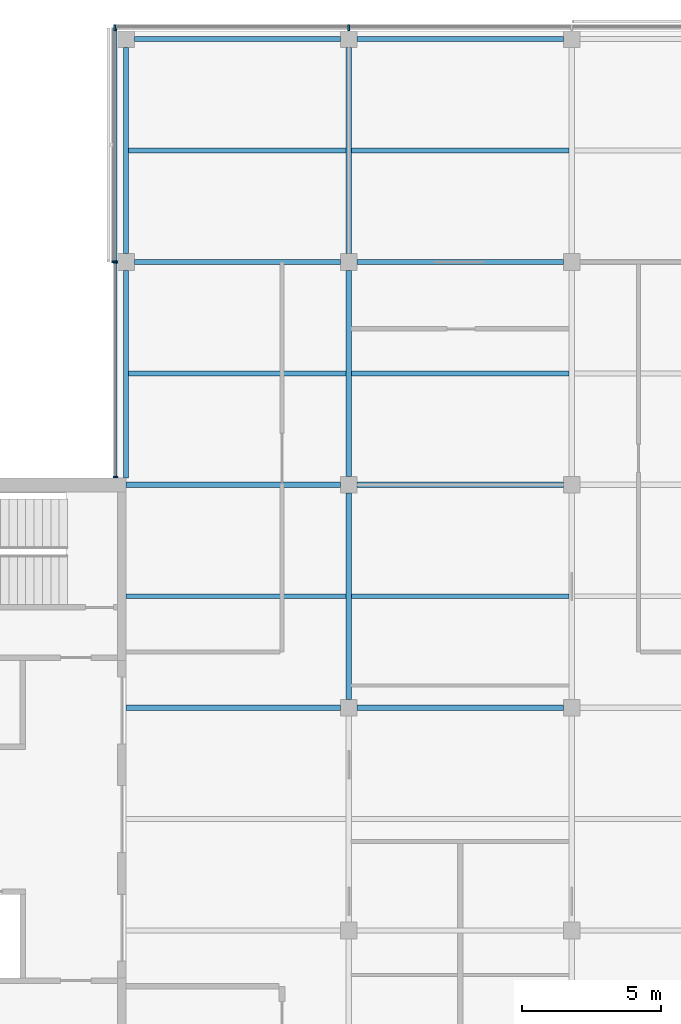
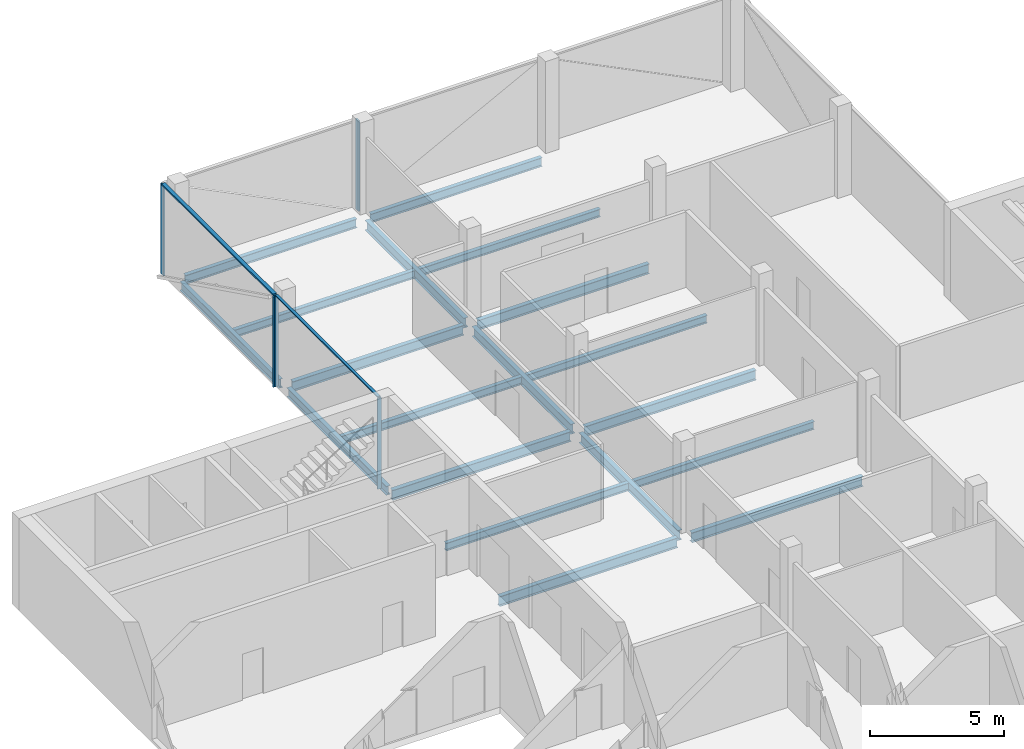
# One storey, part 5 of 15: 19 beams, 7 members, 3 elements without a shape of their own.
"""IFC4 building model written with IfcOpenShell, lengths in metres."""

from ifc_helpers import new_model, si_unit, direction, frame, origin, origin_2d, place, context, subcontext, project, spatial, rectangle, i_section, extrude, material, material_profile, profile_set, type_object, element, aggregate, save


model = new_model("IFC4")

# Units and contexts
model_context = context("Model", 3, precision=1e-05, world=origin(), true_north=direction((0.0, 1.0)))
body_context = subcontext(model_context, "Body", "Model", "MODEL_VIEW")
ifc_project = project(units=[si_unit("LENGTHUNIT", "METRE"), si_unit("AREAUNIT", "SQUARE_METRE"), si_unit("VOLUMEUNIT", "CUBIC_METRE"), si_unit("PLANEANGLEUNIT", "RADIAN"), si_unit("MASSUNIT", "GRAM", prefix="KILO")], contexts=[model_context])

# Site, building, storey
site_placement = place(None, origin())
site = spatial("IfcSite", under=ifc_project, at=site_placement, CompositionType="ELEMENT")
building_placement = place(site_placement, origin())
building = spatial("IfcBuilding", under=site, at=building_placement, Name="Crosswind Convention Tower", CompositionType="ELEMENT")
storey_placement = place(building_placement, frame((0.0, 0.0, 315.5)))
storey = spatial("IfcBuildingStorey", under=building, at=storey_placement, Name="L68", CompositionType="ELEMENT", Elevation=315.5)

# Beams
ifc_material_1 = material(Name="Steel S355", Category="steel")
ifc_material_profile_1 = material_profile(ifc_material_1, i_section(OverallWidth=0.177734375, OverallDepth=0.406494140625, WebThickness=0.0078125, FlangeThickness=0.0126953125, FilletRadius=0.01025390625, at=origin_2d()), Name="UB 406x178x60")
ifc_profile_set_1 = profile_set([ifc_material_profile_1], Name="Steel S355")
beam_type_1 = type_object("IfcBeamType", Name="Edge beam UB 406x178x60", PredefinedType="SPANDREL", material=ifc_profile_set_1)
beam_1_placement = place(storey_placement, frame((113.0, 112.25, -0.503173828125), z_axis=(0.0, 1.0, 0.0), x_axis=(-1.0, 0.0, 0.0)))
element("IfcBeam", 1, at=beam_1_placement, inside=storey, type_object=beam_type_1, Name="B15 L68 edge beam 3", PredefinedType="SPANDREL", context=body_context, shape_type="SweptSolid", body=[
    extrude(i_section(OverallWidth=0.177734375, OverallDepth=0.406494140625, WebThickness=0.0078125, FlangeThickness=0.0126953125, FilletRadius=0.01025390625, at=origin_2d()), origin(), (0.0, 0.0, 1.0), 7.449951171875),
])
for number, where, z_axis, x_axis, name in (
    (2, (113.0, 120.300048828125, -0.503173828125), (0.0, 1.0, 0.0), (-1.0, 0.0, 0.0), "B15 L68 edge beam 4"),
    (3, (113.300048828125, 128.0, -0.503173828125), (1.0, 0.0, 0.0), (0.0, 1.0, 0.0), "B15 L68 edge beam 6"),
    (4, (121.300048828125, 128.0, -0.503173828125), (1.0, 0.0, 0.0), (0.0, 1.0, 0.0), "B15 L68 edge beam 8"),
):
    element("IfcBeam", number, at=place(storey_placement, frame(where, z_axis=z_axis, x_axis=x_axis)), inside=storey, type_object=beam_type_1, Name=name, PredefinedType="SPANDREL", context=body_context, shape_type="SweptSolid", body=[
        extrude(i_section(OverallWidth=0.177734375, OverallDepth=0.406494140625, WebThickness=0.0078125, FlangeThickness=0.0126953125, FilletRadius=0.01025390625, at=origin_2d()), origin(), (0.0, 0.0, 1.0), 7.39990234375),
    ])
ifc_material_profile_2 = material_profile(ifc_material_1, i_section(OverallWidth=0.18994140625, OverallDepth=0.45361328125, WebThickness=0.008544921875, FlangeThickness=0.0126953125, FilletRadius=0.01025390625, at=origin_2d()), Name="UB 457x191x67")
ifc_profile_set_2 = profile_set([ifc_material_profile_2], Name="Steel S355")
beam_type_2 = type_object("IfcBeamType", Name="Girder UB 457x191x67", PredefinedType="BEAM", material=ifc_profile_set_2)
for number, where, z_axis, x_axis, name in (
    (5, (113.300048828125, 120.0, -0.52685546875), (1.0, 0.0, 0.0), (0.0, 1.0, 0.0), "B1 L68 girder 2"),
    (6, (121.0, 104.300048828125, -0.52685546875), (0.0, 1.0, 0.0), (-1.0, 0.0, 0.0), "B1 L68 girder 7"),
    (7, (121.0, 112.300048828125, -0.52685546875), (0.0, 1.0, 0.0), (-1.0, 0.0, 0.0), "B1 L68 girder 8"),
    (8, (121.0, 120.300048828125, -0.52685546875), (0.0, 1.0, 0.0), (-1.0, 0.0, 0.0), "B1 L68 girder 9"),
    (9, (121.300048828125, 104.0, -0.52685546875), (1.0, 0.0, 0.0), (0.0, 1.0, 0.0), "B1 L68 girder 13"),
    (10, (121.300048828125, 112.0, -0.52685546875), (1.0, 0.0, 0.0), (0.0, 1.0, 0.0), "B1 L68 girder 14"),
    (11, (121.300048828125, 120.0, -0.52685546875), (1.0, 0.0, 0.0), (0.0, 1.0, 0.0), "B1 L68 girder 15"),
):
    element("IfcBeam", number, at=place(storey_placement, frame(where, z_axis=z_axis, x_axis=x_axis)), inside=storey, type_object=beam_type_2, Name=name, PredefinedType="BEAM", context=body_context, shape_type="SweptSolid", body=[
        extrude(i_section(OverallWidth=0.18994140625, OverallDepth=0.45361328125, WebThickness=0.008544921875, FlangeThickness=0.0126953125, FilletRadius=0.01025390625, at=origin_2d()), origin(), (0.0, 0.0, 1.0), 7.39990234375),
    ])
ifc_material_profile_3 = material_profile(ifc_material_1, i_section(OverallWidth=0.1904296875, OverallDepth=0.457275390625, WebThickness=0.009033203125, FlangeThickness=0.014404296875, FilletRadius=0.01025390625, at=origin_2d()), Name="UB 457x191x75")
ifc_profile_set_3 = profile_set([ifc_material_profile_3], Name="Steel S355")
beam_type_3 = type_object("IfcBeamType", Name="Girder at core wall UB 457x191x75", PredefinedType="BEAM", material=ifc_profile_set_3)
for number, where, z_axis, x_axis, name in (
    (12, (113.0, 104.0, -0.528564453125), (1.0, 0.0, 0.0), (0.0, 1.0, 0.0), "B22 L68 girder at core wall 3"),
    (13, (113.0, 112.0, -0.528564453125), (1.0, 0.0, 0.0), (0.0, 1.0, 0.0), "B22 L68 girder at core wall 4"),
):
    element("IfcBeam", number, at=place(storey_placement, frame(where, z_axis=z_axis, x_axis=x_axis)), inside=storey, type_object=beam_type_3, Name=name, PredefinedType="BEAM", context=body_context, shape_type="SweptSolid", body=[
        extrude(i_section(OverallWidth=0.1904296875, OverallDepth=0.457275390625, WebThickness=0.009033203125, FlangeThickness=0.014404296875, FilletRadius=0.01025390625, at=origin_2d()), origin(), (0.0, 0.0, 1.0), 7.699951171875),
    ])

# Curtain wall, members
ifc_material_2 = material(Name="Aluminium unitised curtain wall", Category="aluminium")
curtain_wall_type_1 = type_object("IfcCurtainWallType", Name="CORE END SLOT WALL 160", PredefinedType="USERDEFINED", material=ifc_material_2)
curtain_wall_1_placement = place(storey_placement, origin())
curtain_wall_1 = element("IfcCurtainWall", 14, at=curtain_wall_1_placement, inside=storey, type_object=curtain_wall_type_1, Name="CW6 L68 N-W.1-2 slot", ObjectType="UNITISED", PredefinedType="USERDEFINED")
ifc_material_3 = material(Name="Aluminium mullion", Category="aluminium")
ifc_material_profile_4 = material_profile(ifc_material_3, rectangle(XDim=0.159912109375, YDim=0.050048828125, at=origin_2d()), Name="AL 160X50")
ifc_profile_set_4 = profile_set([ifc_material_profile_4], Name="Aluminium mullion")
member_type_1 = type_object("IfcMemberType", Name="MULLION 50X160", PredefinedType="MULLION", material=ifc_profile_set_4)
member_1_placement = place(storey_placement, frame((112.6201171875, 119.97509765625, -0.300048828125), z_axis=(0.0, 0.0, 1.0), x_axis=(-1.0, 0.0, 0.0)))
member_1 = element("IfcMember", 15, at=member_1_placement, type_object=member_type_1, Name="CW6 mullion 1", PredefinedType="MULLION", context=body_context, shape_type="SweptSolid", body=[
    extrude(rectangle(XDim=0.159912109375, YDim=0.050048828125, at=origin_2d()), origin(), (0.0, 0.0, 1.0), 4.150146484375),
])
member_2_placement = place(storey_placement, frame((112.6201171875, 112.27490234375, -0.300048828125), z_axis=(0.0, 0.0, 1.0), x_axis=(-1.0, 0.0, 0.0)))
member_2 = element("IfcMember", 16, at=member_2_placement, type_object=member_type_1, Name="CW6 mullion 2", PredefinedType="MULLION", context=body_context, shape_type="SweptSolid", body=[
    extrude(rectangle(XDim=0.159912109375, YDim=0.050048828125, at=origin_2d()), origin(), (0.0, 0.0, 1.0), 4.150146484375),
])

curtain_wall_type_2 = type_object("IfcCurtainWallType", Name="OFFICE UNITISED WALL 220", PredefinedType="USERDEFINED", material=ifc_material_2)
curtain_wall_2_placement = place(storey_placement, origin())
curtain_wall_2 = element("IfcCurtainWall", 17, at=curtain_wall_2_placement, inside=storey, type_object=curtain_wall_type_2, Name="CW3 L68 N-TIP 1", ObjectType="UNITISED", PredefinedType="USERDEFINED")
ifc_material_profile_5 = material_profile(ifc_material_3, rectangle(XDim=0.219970703125, YDim=0.070068359375, at=origin_2d()), Name="AL 220X70")
ifc_profile_set_5 = profile_set([ifc_material_profile_5], Name="Aluminium mullion")
member_type_2 = type_object("IfcMemberType", Name="MULLION 70X220", PredefinedType="MULLION", material=ifc_profile_set_5)
member_3_placement = place(storey_placement, frame((121.0, 128.409912109375, -0.300048828125), z_axis=(0.0, 0.0, 1.0), x_axis=(0.0, 1.0, 0.0)))
member_3 = element("IfcMember", 18, at=member_3_placement, type_object=member_type_2, Name="CW3 mullion 3", PredefinedType="MULLION", context=body_context, shape_type="SweptSolid", body=[
    extrude(rectangle(XDim=0.219970703125, YDim=0.070068359375, at=origin_2d()), origin(), (0.0, 0.0, 1.0), 4.130126953125),
])
member_4_placement = place(storey_placement, frame((112.590087890625, 128.409912109375, -0.300048828125), z_axis=(0.0, 0.0, 1.0), x_axis=(0.0, 1.0, 0.0)))
member_4 = element("IfcMember", 19, at=member_4_placement, type_object=member_type_2, Name="CW3 mullion 4", PredefinedType="MULLION", context=body_context, shape_type="SweptSolid", body=[
    extrude(rectangle(XDim=0.219970703125, YDim=0.070068359375, at=origin_2d()), origin(), (0.0, 0.0, 1.0), 4.130126953125),
])
aggregate(curtain_wall_2, [member_3, member_4])

# Curtain wall, member
curtain_wall_3_placement = place(storey_placement, origin())
curtain_wall_3 = element("IfcCurtainWall", 20, at=curtain_wall_3_placement, inside=storey, type_object=curtain_wall_type_2, Name="CW3 L68 N-W 1", ObjectType="UNITISED", PredefinedType="USERDEFINED")
member_5_placement = place(storey_placement, frame((112.590087890625, 120.0, -0.300048828125), z_axis=(0.0, 0.0, 1.0), x_axis=(-1.0, 0.0, 0.0)))
member_5 = element("IfcMember", 21, at=member_5_placement, type_object=member_type_2, Name="CW3 mullion 2", PredefinedType="MULLION", context=body_context, shape_type="SweptSolid", body=[
    extrude(rectangle(XDim=0.219970703125, YDim=0.070068359375, at=origin_2d()), origin(), (0.0, 0.0, 1.0), 4.130126953125),
])

# Beams
ifc_material_profile_6 = material_profile(ifc_material_1, i_section(OverallWidth=0.17138671875, OverallDepth=0.355712890625, WebThickness=0.00732421875, FlangeThickness=0.011474609375, FilletRadius=0.01025390625, at=origin_2d()), Name="UB 356x171x51")
ifc_profile_set_6 = profile_set([ifc_material_profile_6], Name="Steel S355")
beam_type_4 = type_object("IfcBeamType", Name="Secondary beam UB 356x171x51", PredefinedType="JOIST", material=ifc_profile_set_6)
beam_2_placement = place(storey_placement, frame((113.0, 108.0, -0.477783203125), z_axis=(1.0, 0.0, 0.0), x_axis=(0.0, 1.0, 0.0)))
element("IfcBeam", 22, at=beam_2_placement, inside=storey, type_object=beam_type_4, Name="B8 L68 secondary beam 3", PredefinedType="JOIST", context=body_context, shape_type="SweptSolid", body=[
    extrude(i_section(OverallWidth=0.17138671875, OverallDepth=0.355712890625, WebThickness=0.00732421875, FlangeThickness=0.011474609375, FilletRadius=0.01025390625, at=origin_2d()), origin(), (0.0, 0.0, 1.0), 7.905029296875),
])
for number, where, z_axis, x_axis, name in (
    (23, (113.0888671875, 116.0, -0.477783203125), (1.0, 0.0, 0.0), (0.0, 1.0, 0.0), "B8 L68 secondary beam 6"),
    (24, (113.0888671875, 124.0, -0.477783203125), (1.0, 0.0, 0.0), (0.0, 1.0, 0.0), "B8 L68 secondary beam 7"),
):
    element("IfcBeam", number, at=place(storey_placement, frame(where, z_axis=z_axis, x_axis=x_axis)), inside=storey, type_object=beam_type_4, Name=name, PredefinedType="JOIST", context=body_context, shape_type="SweptSolid", body=[
        extrude(i_section(OverallWidth=0.17138671875, OverallDepth=0.355712890625, WebThickness=0.00732421875, FlangeThickness=0.011474609375, FilletRadius=0.01025390625, at=origin_2d()), origin(), (0.0, 0.0, 1.0), 7.816162109375),
    ])
for number, where, z_axis, x_axis, name in (
    (25, (121.094970703125, 108.0, -0.477783203125), (1.0, 0.0, 0.0), (0.0, 1.0, 0.0), "B8 L68 secondary beam 12"),
    (26, (121.094970703125, 116.0, -0.477783203125), (1.0, 0.0, 0.0), (0.0, 1.0, 0.0), "B8 L68 secondary beam 13"),
    (27, (121.094970703125, 124.0, -0.477783203125), (1.0, 0.0, 0.0), (0.0, 1.0, 0.0), "B8 L68 secondary beam 14"),
):
    element("IfcBeam", number, at=place(storey_placement, frame(where, z_axis=z_axis, x_axis=x_axis)), inside=storey, type_object=beam_type_4, Name=name, PredefinedType="JOIST", context=body_context, shape_type="SweptSolid", body=[
        extrude(i_section(OverallWidth=0.17138671875, OverallDepth=0.355712890625, WebThickness=0.00732421875, FlangeThickness=0.011474609375, FilletRadius=0.01025390625, at=origin_2d()), origin(), (0.0, 0.0, 1.0), 7.81005859375),
    ])

# Member
ifc_material_4 = material(Name="Aluminium transom", Category="aluminium")
ifc_material_profile_7 = material_profile(ifc_material_4, rectangle(XDim=0.1201171875, YDim=0.050048828125, at=origin_2d()), Name="AL 120X50")
ifc_profile_set_7 = profile_set([ifc_material_profile_7], Name="Aluminium transom")
member_type_3 = type_object("IfcMemberType", Name="TRANSOM 50X120", PredefinedType="USERDEFINED", material=ifc_profile_set_7)
member_6_placement = place(storey_placement, frame((112.6201171875, 119.949951171875, 3.875), z_axis=(0.0, -1.0, 0.0), x_axis=(1.0, 0.0, 0.0)))
member_6 = element("IfcMember", 28, at=member_6_placement, type_object=member_type_3, Name="CW6 transom", ObjectType="TRANSOM", PredefinedType="USERDEFINED", context=body_context, shape_type="SweptSolid", body=[
    extrude(rectangle(XDim=0.1201171875, YDim=0.050048828125, at=origin_2d()), origin(), (0.0, 0.0, 1.0), 7.64990234375),
])

aggregate(curtain_wall_1, [member_1, member_2, member_6])

ifc_material_profile_8 = material_profile(ifc_material_4, rectangle(XDim=0.159912109375, YDim=0.070068359375, at=origin_2d()), Name="AL 160X70")
ifc_profile_set_8 = profile_set([ifc_material_profile_8], Name="Aluminium transom")
member_type_4 = type_object("IfcMemberType", Name="TRANSOM 70X160", PredefinedType="USERDEFINED", material=ifc_profile_set_8)
member_7_placement = place(storey_placement, frame((112.590087890625, 128.375, 3.864990234375), z_axis=(0.0, -1.0, 0.0), x_axis=(1.0, 0.0, 0.0)))
member_7 = element("IfcMember", 29, at=member_7_placement, type_object=member_type_4, Name="CW3 transom", ObjectType="TRANSOM", PredefinedType="USERDEFINED", context=body_context, shape_type="SweptSolid", body=[
    extrude(rectangle(XDim=0.159912109375, YDim=0.070068359375, at=origin_2d()), origin(), (0.0, 0.0, 1.0), 8.340087890625),
])

aggregate(curtain_wall_3, [member_5, member_7])

save(model, "model.ifc")
